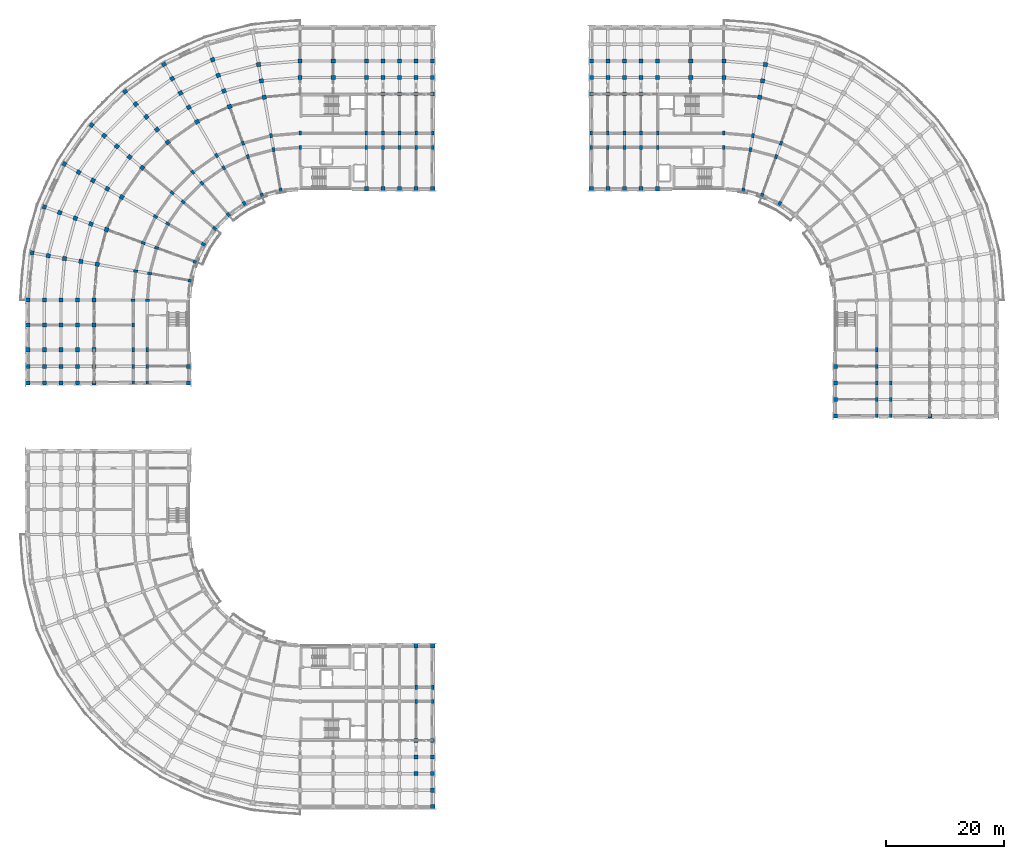
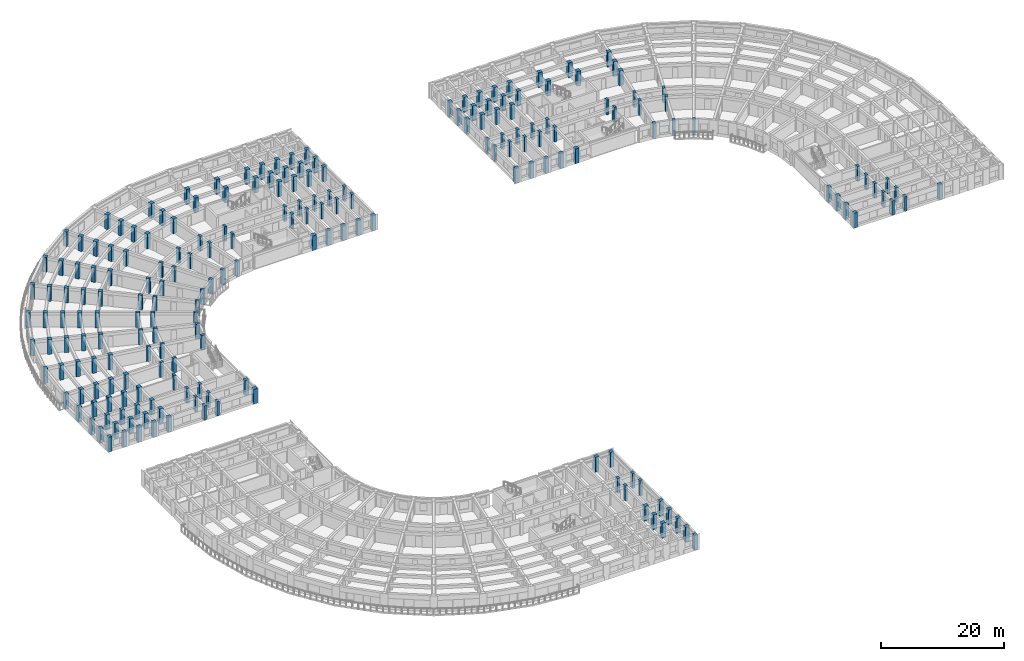
# One storey, part 2 of 57: 204 columns.
"""IFC4 building model written with IfcOpenShell, lengths in metres."""

from ifc_helpers import new_model, si_unit, direction, frame, origin, origin_2d, place, context, subcontext, project, spatial, rectangle, extrude, material, material_profile, profile_set, type_object, element, save


model = new_model("IFC4")

# Units and contexts
model_context = context("Model", 3, precision=1e-05, world=origin(), true_north=direction((0.0, 1.0)))
body_context = subcontext(model_context, "Body", "Model", "MODEL_VIEW")
ifc_project = project(units=[si_unit("LENGTHUNIT", "METRE"), si_unit("AREAUNIT", "SQUARE_METRE"), si_unit("VOLUMEUNIT", "CUBIC_METRE"), si_unit("PLANEANGLEUNIT", "RADIAN"), si_unit("MASSUNIT", "GRAM", prefix="KILO")], contexts=[model_context])

# Site, building, storey
site_placement = place(None, origin())
site = spatial("IfcSite", under=ifc_project, at=site_placement, CompositionType="ELEMENT")
building_placement = place(site_placement, origin())
building = spatial("IfcBuilding", under=site, at=building_placement, Name="Kiranvali Square Residences", CompositionType="ELEMENT")
storey_placement = place(building_placement, frame((0.0, 0.0, 18.14990234375)))
storey = spatial("IfcBuildingStorey", under=building, at=storey_placement, Name="L05", CompositionType="ELEMENT", Elevation=18.14990234375)

# Columns
ifc_material_1 = material(Name="Concrete M45 (45 MPa)", Category="concrete")
ifc_material_profile_1 = material_profile(ifc_material_1, rectangle(XDim=0.699951171875, YDim=0.699951171875, at=origin_2d()), Name="RC 700x700")
ifc_profile_set_1 = profile_set([ifc_material_profile_1], Name="Concrete M45 (45 MPa)")
column_type_1 = type_object("IfcColumnType", Name="COL-M45-700", PredefinedType="COLUMN", material=ifc_profile_set_1)
for number, where, z_axis, x_axis, name in (
    (1, (48.199951171875, 125.39990234375, 0.0), (0.0, 0.0, 1.0), (1.0, 0.0, 0.0), "Block A L05 radial column A00-R4"),
    (2, (48.199951171875, 128.199951171875, 0.0), (0.0, 0.0, 1.0), (1.0, 0.0, 0.0), "Block A L05 radial column A00-R5"),
    (3, (42.156982421875, 122.0712890625, 0.0), (0.0, 0.0, 1.0), (0.984807753012, 0.173648177667, 0.0), "Block A L05 radial column A01-R3"),
    (4, (41.6708984375, 124.828857421875, 0.0), (0.0, 0.0, 1.0), (0.984807753012, 0.173648177667, 0.0), "Block A L05 radial column A01-R4"),
    (5, (41.1845703125, 127.586181640625, 0.0), (0.0, 0.0, 1.0), (0.984807753012, 0.173648177667, 0.0), "Block A L05 radial column A01-R5"),
    (6, (36.297607421875, 120.501220703125, 0.0), (0.0, 0.0, 1.0), (0.939692620786, 0.342020143326, 0.0), "Block A L05 radial column A02-R3"),
    (7, (35.340087890625, 123.13232421875, 0.0), (0.0, 0.0, 1.0), (0.939692620786, 0.342020143326, 0.0), "Block A L05 radial column A02-R4"),
    (8, (34.38232421875, 125.763671875, 0.0), (0.0, 0.0, 1.0), (0.939692620786, 0.342020143326, 0.0), "Block A L05 radial column A02-R5"),
    (9, (33.4248046875, 128.394775390625, 0.0), (0.0, 0.0, 1.0), (0.939692620786, 0.342020143326, 0.0), "Block A L05 radial column A02-R6"),
    (10, (30.800048828125, 117.937744140625, 0.0), (0.0, 0.0, 1.0), (0.866025403784, 0.5, 0.0), "Block A L05 radial column A03-R3"),
    (11, (29.39990234375, 120.362548828125, 0.0), (0.0, 0.0, 1.0), (0.866025403784, 0.5, 0.0), "Block A L05 radial column A03-R4"),
    (12, (28.0, 122.787353515625, 0.0), (0.0, 0.0, 1.0), (0.866025403784, 0.5, 0.0), "Block A L05 radial column A03-R5"),
    (13, (26.60009765625, 125.21240234375, 0.0), (0.0, 0.0, 1.0), (0.866025403784, 0.5, 0.0), "Block A L05 radial column A03-R6"),
    (14, (25.199951171875, 127.63720703125, 0.0), (0.0, 0.0, 1.0), (0.866025403784, 0.5, 0.0), "Block A L05 radial column A03-R7"),
    (15, (25.8310546875, 114.458251953125, 0.0), (0.0, 0.0, 1.0), (0.766044443119, 0.642787609687, 0.0), "Block A L05 radial column A04-R3"),
    (16, (24.03125, 116.603271484375, 0.0), (0.0, 0.0, 1.0), (0.766044443119, 0.642787609687, 0.0), "Block A L05 radial column A04-R4"),
    (17, (22.2314453125, 118.748291015625, 0.0), (0.0, 0.0, 1.0), (0.766044443119, 0.642787609687, 0.0), "Block A L05 radial column A04-R5"),
    (18, (20.431640625, 120.89306640625, 0.0), (0.0, 0.0, 1.0), (0.766044443119, 0.642787609687, 0.0), "Block A L05 radial column A04-R6"),
    (19, (18.6318359375, 123.0380859375, 0.0), (0.0, 0.0, 1.0), (0.766044443119, 0.642787609687, 0.0), "Block A L05 radial column A04-R7"),
    (20, (21.541748046875, 110.1689453125, 0.0), (0.0, 0.0, 1.0), (0.642787609687, 0.766044443119, 0.0), "Block A L05 radial column A05-R3"),
    (21, (19.396728515625, 111.96875, 0.0), (0.0, 0.0, 1.0), (0.642787609687, 0.766044443119, 0.0), "Block A L05 radial column A05-R4"),
    (22, (17.251708984375, 113.7685546875, 0.0), (0.0, 0.0, 1.0), (0.642787609687, 0.766044443119, 0.0), "Block A L05 radial column A05-R5"),
    (23, (15.10693359375, 115.568359375, 0.0), (0.0, 0.0, 1.0), (0.642787609687, 0.766044443119, 0.0), "Block A L05 radial column A05-R6"),
    (24, (12.9619140625, 117.3681640625, 0.0), (0.0, 0.0, 1.0), (0.642787609687, 0.766044443119, 0.0), "Block A L05 radial column A05-R7"),
    (25, (18.062255859375, 105.199951171875, 0.0), (0.0, 0.0, 1.0), (0.5, 0.866025403784, 0.0), "Block A L05 radial column A06-R3"),
    (26, (15.637451171875, 106.60009765625, 0.0), (0.0, 0.0, 1.0), (0.5, 0.866025403784, 0.0), "Block A L05 radial column A06-R4"),
    (27, (13.212646484375, 108.0, 0.0), (0.0, 0.0, 1.0), (0.5, 0.866025403784, 0.0), "Block A L05 radial column A06-R5"),
    (28, (10.78759765625, 109.39990234375, 0.0), (0.0, 0.0, 1.0), (0.5, 0.866025403784, 0.0), "Block A L05 radial column A06-R6"),
    (29, (8.36279296875, 110.800048828125, 0.0), (0.0, 0.0, 1.0), (0.5, 0.866025403784, 0.0), "Block A L05 radial column A06-R7"),
    (30, (15.498779296875, 99.702392578125, 0.0), (0.0, 0.0, 1.0), (0.342020143326, 0.939692620786, 0.0), "Block A L05 radial column A07-R3"),
    (31, (12.86767578125, 100.659912109375, 0.0), (0.0, 0.0, 1.0), (0.342020143326, 0.939692620786, 0.0), "Block A L05 radial column A07-R4"),
    (32, (10.236328125, 101.61767578125, 0.0), (0.0, 0.0, 1.0), (0.342020143326, 0.939692620786, 0.0), "Block A L05 radial column A07-R5"),
    (33, (7.605224609375, 102.5751953125, 0.0), (0.0, 0.0, 1.0), (0.342020143326, 0.939692620786, 0.0), "Block A L05 radial column A07-R6"),
    (34, (4.97412109375, 103.532958984375, 0.0), (0.0, 0.0, 1.0), (0.342020143326, 0.939692620786, 0.0), "Block A L05 radial column A07-R7"),
    (35, (13.9287109375, 93.843017578125, 0.0), (0.0, 0.0, 1.0), (0.173648177667, 0.984807753012, 0.0), "Block A L05 radial column A08-R3"),
    (36, (11.171142578125, 94.3291015625, 0.0), (0.0, 0.0, 1.0), (0.173648177667, 0.984807753012, 0.0), "Block A L05 radial column A08-R4"),
    (37, (8.413818359375, 94.8154296875, 0.0), (0.0, 0.0, 1.0), (0.173648177667, 0.984807753012, 0.0), "Block A L05 radial column A08-R5"),
    (38, (5.65625, 95.301513671875, 0.0), (0.0, 0.0, 1.0), (0.173648177667, 0.984807753012, 0.0), "Block A L05 radial column A08-R6"),
    (39, (2.89892578125, 95.787841796875, 0.0), (0.0, 0.0, 1.0), (0.173648177667, 0.984807753012, 0.0), "Block A L05 radial column A08-R7"),
    (40, (13.39990234375, 87.800048828125, 0.0), (0.0, 0.0, 1.0), (0.0, 1.0, 0.0), "Block A L05 radial column A09-R3"),
    (41, (10.60009765625, 87.800048828125, 0.0), (0.0, 0.0, 1.0), (0.0, 1.0, 0.0), "Block A L05 radial column A09-R4"),
    (42, (7.800048828125, 87.800048828125, 0.0), (0.0, 0.0, 1.0), (0.0, 1.0, 0.0), "Block A L05 radial column A09-R5"),
    (43, (5.0, 87.800048828125, 0.0), (0.0, 0.0, 1.0), (0.0, 1.0, 0.0), "Block A L05 radial column A09-R6"),
    (44, (2.199951171875, 87.800048828125, 0.0), (0.0, 0.0, 1.0), (0.0, 1.0, 0.0), "Block A L05 radial column A09-R7"),
    (45, (53.800048828125, 125.39990234375, 0.0), (0.0, 0.0, 1.0), (1.0, 0.0, 0.0), "Block A L05 core-front column U0-R4"),
    (46, (53.800048828125, 128.199951171875, 0.0), (0.0, 0.0, 1.0), (1.0, 0.0, 0.0), "Block A L05 core-front column U0-R5"),
    (47, (59.39990234375, 106.60009765625, 0.0), (0.0, 0.0, 1.0), (1.0, 0.0, 0.0), "Block A L05 Arm 1 column U1-R0"),
    (48, (59.39990234375, 125.39990234375, 0.0), (0.0, 0.0, 1.0), (1.0, 0.0, 0.0), "Block A L05 Arm 1 column U1-R4"),
    (49, (59.39990234375, 128.199951171875, 0.0), (0.0, 0.0, 1.0), (1.0, 0.0, 0.0), "Block A L05 Arm 1 column U1-R5"),
    (50, (62.199951171875, 106.60009765625, 0.0), (0.0, 0.0, 1.0), (1.0, 0.0, 0.0), "Block A L05 Arm 1 column U2-R0"),
    (51, (62.199951171875, 122.60009765625, 0.0), (0.0, 0.0, 1.0), (1.0, 0.0, 0.0), "Block A L05 Arm 1 column U2-R3"),
    (52, (62.199951171875, 125.39990234375, 0.0), (0.0, 0.0, 1.0), (1.0, 0.0, 0.0), "Block A L05 Arm 1 column U2-R4"),
    (53, (62.199951171875, 128.199951171875, 0.0), (0.0, 0.0, 1.0), (1.0, 0.0, 0.0), "Block A L05 Arm 1 column U2-R5"),
    (54, (65.0, 106.60009765625, 0.0), (0.0, 0.0, 1.0), (1.0, 0.0, 0.0), "Block A L05 Arm 1 column U3-R0"),
    (55, (65.0, 122.60009765625, 0.0), (0.0, 0.0, 1.0), (1.0, 0.0, 0.0), "Block A L05 Arm 1 column U3-R3"),
    (56, (65.0, 125.39990234375, 0.0), (0.0, 0.0, 1.0), (1.0, 0.0, 0.0), "Block A L05 Arm 1 column U3-R4"),
    (57, (65.0, 128.199951171875, 0.0), (0.0, 0.0, 1.0), (1.0, 0.0, 0.0), "Block A L05 Arm 1 column U3-R5"),
    (58, (67.800048828125, 106.60009765625, 0.0), (0.0, 0.0, 1.0), (1.0, 0.0, 0.0), "Block A L05 Arm 1 column U4-R0"),
    (59, (67.800048828125, 122.60009765625, 0.0), (0.0, 0.0, 1.0), (1.0, 0.0, 0.0), "Block A L05 Arm 1 column U4-R3"),
    (60, (67.800048828125, 125.39990234375, 0.0), (0.0, 0.0, 1.0), (1.0, 0.0, 0.0), "Block A L05 Arm 1 column U4-R4"),
    (61, (67.800048828125, 128.199951171875, 0.0), (0.0, 0.0, 1.0), (1.0, 0.0, 0.0), "Block A L05 Arm 1 column U4-R5"),
    (62, (70.60009765625, 106.60009765625, 0.0), (0.0, 0.0, 1.0), (1.0, 0.0, 0.0), "Block A L05 Arm 1 column U5-R0"),
    (63, (70.60009765625, 122.60009765625, 0.0), (0.0, 0.0, 1.0), (1.0, 0.0, 0.0), "Block A L05 Arm 1 column U5-R3"),
    (64, (70.60009765625, 125.39990234375, 0.0), (0.0, 0.0, 1.0), (1.0, 0.0, 0.0), "Block A L05 Arm 1 column U5-R4"),
    (65, (70.60009765625, 128.199951171875, 0.0), (0.0, 0.0, 1.0), (1.0, 0.0, 0.0), "Block A L05 Arm 1 column U5-R5"),
    (66, (13.39990234375, 83.60009765625, 0.0), (0.0, 0.0, 1.0), (1.0, 0.0, 0.0), "Block A L05 Arm 2 mid-core column V0-R3"),
    (67, (10.60009765625, 83.60009765625, 0.0), (0.0, 0.0, 1.0), (1.0, 0.0, 0.0), "Block A L05 Arm 2 mid-core column V0-R4"),
    (68, (7.800048828125, 83.60009765625, 0.0), (0.0, 0.0, 1.0), (1.0, 0.0, 0.0), "Block A L05 Arm 2 mid-core column V0-R5"),
    (69, (5.0, 83.60009765625, 0.0), (0.0, 0.0, 1.0), (1.0, 0.0, 0.0), "Block A L05 Arm 2 mid-core column V0-R6"),
    (70, (2.199951171875, 83.60009765625, 0.0), (0.0, 0.0, 1.0), (1.0, 0.0, 0.0), "Block A L05 Arm 2 mid-core column V0-R7"),
    (71, (13.39990234375, 79.39990234375, 0.0), (0.0, 0.0, 1.0), (1.0, 0.0, 0.0), "Block A L05 Arm 2 column V1-R3"),
    (72, (10.60009765625, 79.39990234375, 0.0), (0.0, 0.0, 1.0), (1.0, 0.0, 0.0), "Block A L05 Arm 2 column V1-R4"),
    (73, (7.800048828125, 79.39990234375, 0.0), (0.0, 0.0, 1.0), (1.0, 0.0, 0.0), "Block A L05 Arm 2 column V1-R5"),
    (74, (5.0, 79.39990234375, 0.0), (0.0, 0.0, 1.0), (1.0, 0.0, 0.0), "Block A L05 Arm 2 column V1-R6"),
    (75, (2.199951171875, 79.39990234375, 0.0), (0.0, 0.0, 1.0), (1.0, 0.0, 0.0), "Block A L05 Arm 2 column V1-R7"),
    (76, (29.39990234375, 76.60009765625, 0.0), (0.0, 0.0, 1.0), (1.0, 0.0, 0.0), "Block A L05 Arm 2 column V2-R0"),
    (77, (13.39990234375, 76.60009765625, 0.0), (0.0, 0.0, 1.0), (1.0, 0.0, 0.0), "Block A L05 Arm 2 column V2-R3"),
    (78, (10.60009765625, 76.60009765625, 0.0), (0.0, 0.0, 1.0), (1.0, 0.0, 0.0), "Block A L05 Arm 2 column V2-R4"),
    (79, (7.800048828125, 76.60009765625, 0.0), (0.0, 0.0, 1.0), (1.0, 0.0, 0.0), "Block A L05 Arm 2 column V2-R5"),
    (80, (5.0, 76.60009765625, 0.0), (0.0, 0.0, 1.0), (1.0, 0.0, 0.0), "Block A L05 Arm 2 column V2-R6"),
    (81, (2.199951171875, 76.60009765625, 0.0), (0.0, 0.0, 1.0), (1.0, 0.0, 0.0), "Block A L05 Arm 2 column V2-R7"),
    (82, (29.39990234375, 73.800048828125, 0.0), (0.0, 0.0, 1.0), (1.0, 0.0, 0.0), "Block A L05 Arm 2 column V3-R0"),
    (83, (13.39990234375, 73.800048828125, 0.0), (0.0, 0.0, 1.0), (1.0, 0.0, 0.0), "Block A L05 Arm 2 column V3-R3"),
    (84, (10.60009765625, 73.800048828125, 0.0), (0.0, 0.0, 1.0), (1.0, 0.0, 0.0), "Block A L05 Arm 2 column V3-R4"),
    (85, (7.800048828125, 73.800048828125, 0.0), (0.0, 0.0, 1.0), (1.0, 0.0, 0.0), "Block A L05 Arm 2 column V3-R5"),
    (86, (5.0, 73.800048828125, 0.0), (0.0, 0.0, 1.0), (1.0, 0.0, 0.0), "Block A L05 Arm 2 column V3-R6"),
    (87, (2.199951171875, 73.800048828125, 0.0), (0.0, 0.0, 1.0), (1.0, 0.0, 0.0), "Block A L05 Arm 2 column V3-R7"),
    (88, (119.800048828125, 125.39990234375, 0.0), (0.0, 0.0, 1.0), (1.0, 0.0, 0.0), "Block B L05 radial column A00-R4"),
    (89, (119.800048828125, 128.199951171875, 0.0), (0.0, 0.0, 1.0), (1.0, 0.0, 0.0), "Block B L05 radial column A00-R5"),
    (90, (125.843017578125, 122.0712890625, 0.0), (0.0, 0.0, 1.0), (-0.984807753012, 0.173648177667, 0.0), "Block B L05 radial column A01-R3"),
    (91, (126.3291015625, 124.828857421875, 0.0), (0.0, 0.0, 1.0), (-0.984807753012, 0.173648177667, 0.0), "Block B L05 radial column A01-R4"),
    (92, (126.8154296875, 127.586181640625, 0.0), (0.0, 0.0, 1.0), (-0.984807753012, 0.173648177667, 0.0), "Block B L05 radial column A01-R5"),
    (93, (114.199951171875, 125.39990234375, 0.0), (0.0, 0.0, 1.0), (1.0, 0.0, 0.0), "Block B L05 core-front column U0-R4"),
    (94, (114.199951171875, 128.199951171875, 0.0), (0.0, 0.0, 1.0), (1.0, 0.0, 0.0), "Block B L05 core-front column U0-R5"),
    (95, (108.60009765625, 106.60009765625, 0.0), (0.0, 0.0, 1.0), (1.0, 0.0, 0.0), "Block B L05 Arm 1 column U1-R0"),
    (96, (108.60009765625, 125.39990234375, 0.0), (0.0, 0.0, 1.0), (1.0, 0.0, 0.0), "Block B L05 Arm 1 column U1-R4"),
    (97, (108.60009765625, 128.199951171875, 0.0), (0.0, 0.0, 1.0), (1.0, 0.0, 0.0), "Block B L05 Arm 1 column U1-R5"),
    (98, (105.800048828125, 106.60009765625, 0.0), (0.0, 0.0, 1.0), (1.0, 0.0, 0.0), "Block B L05 Arm 1 column U2-R0"),
    (99, (105.800048828125, 122.60009765625, 0.0), (0.0, 0.0, 1.0), (1.0, 0.0, 0.0), "Block B L05 Arm 1 column U2-R3"),
    (100, (105.800048828125, 125.39990234375, 0.0), (0.0, 0.0, 1.0), (1.0, 0.0, 0.0), "Block B L05 Arm 1 column U2-R4"),
    (101, (105.800048828125, 128.199951171875, 0.0), (0.0, 0.0, 1.0), (1.0, 0.0, 0.0), "Block B L05 Arm 1 column U2-R5"),
    (102, (103.0, 106.60009765625, 0.0), (0.0, 0.0, 1.0), (1.0, 0.0, 0.0), "Block B L05 Arm 1 column U3-R0"),
    (103, (103.0, 122.60009765625, 0.0), (0.0, 0.0, 1.0), (1.0, 0.0, 0.0), "Block B L05 Arm 1 column U3-R3"),
    (104, (103.0, 125.39990234375, 0.0), (0.0, 0.0, 1.0), (1.0, 0.0, 0.0), "Block B L05 Arm 1 column U3-R4"),
    (105, (103.0, 128.199951171875, 0.0), (0.0, 0.0, 1.0), (1.0, 0.0, 0.0), "Block B L05 Arm 1 column U3-R5"),
    (106, (100.199951171875, 106.60009765625, 0.0), (0.0, 0.0, 1.0), (1.0, 0.0, 0.0), "Block B L05 Arm 1 column U4-R0"),
    (107, (100.199951171875, 122.60009765625, 0.0), (0.0, 0.0, 1.0), (1.0, 0.0, 0.0), "Block B L05 Arm 1 column U4-R3"),
    (108, (100.199951171875, 125.39990234375, 0.0), (0.0, 0.0, 1.0), (1.0, 0.0, 0.0), "Block B L05 Arm 1 column U4-R4"),
    (109, (100.199951171875, 128.199951171875, 0.0), (0.0, 0.0, 1.0), (1.0, 0.0, 0.0), "Block B L05 Arm 1 column U4-R5"),
    (110, (97.39990234375, 106.60009765625, 0.0), (0.0, 0.0, 1.0), (1.0, 0.0, 0.0), "Block B L05 Arm 1 column U5-R0"),
    (111, (97.39990234375, 122.60009765625, 0.0), (0.0, 0.0, 1.0), (1.0, 0.0, 0.0), "Block B L05 Arm 1 column U5-R3"),
    (112, (97.39990234375, 125.39990234375, 0.0), (0.0, 0.0, 1.0), (1.0, 0.0, 0.0), "Block B L05 Arm 1 column U5-R4"),
    (113, (97.39990234375, 128.199951171875, 0.0), (0.0, 0.0, 1.0), (1.0, 0.0, 0.0), "Block B L05 Arm 1 column U5-R5"),
    (114, (138.60009765625, 76.60009765625, 0.0), (0.0, 0.0, 1.0), (1.0, 0.0, 0.0), "Block B L05 Arm 2 column V2-R0"),
    (115, (138.60009765625, 73.800048828125, 0.0), (0.0, 0.0, 1.0), (1.0, 0.0, 0.0), "Block B L05 Arm 2 column V3-R0"),
    (116, (138.60009765625, 71.0, 0.0), (0.0, 0.0, 1.0), (1.0, 0.0, 0.0), "Block B L05 Arm 2 column V4-R0"),
    (117, (138.60009765625, 68.199951171875, 0.0), (0.0, 0.0, 1.0), (1.0, 0.0, 0.0), "Block B L05 Arm 2 column V5-R0"),
    (118, (154.60009765625, 68.199951171875, 0.0), (0.0, 0.0, 1.0), (1.0, 0.0, 0.0), "Block B L05 Arm 2 column V5-R3"),
    (119, (67.800048828125, 29.39990234375, 0.0), (0.0, 0.0, 1.0), (1.0, 0.0, 0.0), "Block C L05 Arm 1 column U4-R0"),
    (120, (67.800048828125, 13.39990234375, 0.0), (0.0, 0.0, 1.0), (1.0, 0.0, 0.0), "Block C L05 Arm 1 column U4-R3"),
    (121, (67.800048828125, 10.60009765625, 0.0), (0.0, 0.0, 1.0), (1.0, 0.0, 0.0), "Block C L05 Arm 1 column U4-R4"),
    (122, (67.800048828125, 7.800048828125, 0.0), (0.0, 0.0, 1.0), (1.0, 0.0, 0.0), "Block C L05 Arm 1 column U4-R5"),
    (123, (70.60009765625, 29.39990234375, 0.0), (0.0, 0.0, 1.0), (1.0, 0.0, 0.0), "Block C L05 Arm 1 column U5-R0"),
    (124, (70.60009765625, 13.39990234375, 0.0), (0.0, 0.0, 1.0), (1.0, 0.0, 0.0), "Block C L05 Arm 1 column U5-R3"),
    (125, (70.60009765625, 10.60009765625, 0.0), (0.0, 0.0, 1.0), (1.0, 0.0, 0.0), "Block C L05 Arm 1 column U5-R4"),
    (126, (70.60009765625, 7.800048828125, 0.0), (0.0, 0.0, 1.0), (1.0, 0.0, 0.0), "Block C L05 Arm 1 column U5-R5"),
    (127, (70.60009765625, 5.0, 0.0), (0.0, 0.0, 1.0), (1.0, 0.0, 0.0), "Block C L05 Arm 1 column U5-R6"),
):
    element("IfcColumn", number, at=place(storey_placement, frame(where, z_axis=z_axis, x_axis=x_axis)), inside=storey, type_object=column_type_1, Name=name, PredefinedType="COLUMN", context=body_context, shape_type="SweptSolid", body=[
        extrude(rectangle(XDim=0.699951171875, YDim=0.699951171875, at=origin_2d()), origin(), (0.0, 0.0, 1.0), 2.93017578125),
    ])
column_placement = place(storey_placement, frame((70.60009765625, 2.199951171875, 0.0), z_axis=(0.0, 0.0, 1.0), x_axis=(1.0, 0.0, 0.0)))
element("IfcColumn", 128, at=column_placement, inside=storey, type_object=column_type_1, Name="Block C L05 Arm 1 column U5-R7", PredefinedType="COLUMN", context=body_context, shape_type="SweptSolid", body=[
    extrude(rectangle(XDim=0.699951171875, YDim=0.699951171875, at=origin_2d()), origin(), (0.0, 0.0, 1.0), 2.97021484375),
])
ifc_material_profile_2 = material_profile(ifc_material_1, rectangle(XDim=0.449951171875, YDim=0.699951171875, at=origin_2d()), Name="RC 700x450")
ifc_profile_set_2 = profile_set([ifc_material_profile_2], Name="Concrete M45 (45 MPa)")
column_type_2 = type_object("IfcColumnType", Name="COL-M45-700x450", PredefinedType="COLUMN", material=ifc_profile_set_2)
for number, where, z_axis, x_axis, name in (
    (129, (48.199951171875, 113.60009765625, 0.0), (0.0, 0.0, 1.0), (1.0, 0.0, 0.0), "Block A L05 radial column A00-R1"),
    (130, (48.199951171875, 116.0, 0.0), (0.0, 0.0, 1.0), (1.0, 0.0, 0.0), "Block A L05 radial column A00-R2"),
    (131, (43.719970703125, 113.2080078125, 0.0), (0.0, 0.0, 1.0), (0.984807753012, 0.173648177667, 0.0), "Block A L05 radial column A01-R1"),
    (132, (43.30322265625, 115.571533203125, 0.0), (0.0, 0.0, 1.0), (0.984807753012, 0.173648177667, 0.0), "Block A L05 radial column A01-R2"),
    (133, (39.3759765625, 112.044189453125, 0.0), (0.0, 0.0, 1.0), (0.939692620786, 0.342020143326, 0.0), "Block A L05 radial column A02-R1"),
    (134, (38.554931640625, 114.29931640625, 0.0), (0.0, 0.0, 1.0), (0.939692620786, 0.342020143326, 0.0), "Block A L05 radial column A02-R2"),
    (135, (35.300048828125, 110.1435546875, 0.0), (0.0, 0.0, 1.0), (0.866025403784, 0.5, 0.0), "Block A L05 radial column A03-R1"),
    (136, (34.10009765625, 112.221923828125, 0.0), (0.0, 0.0, 1.0), (0.866025403784, 0.5, 0.0), "Block A L05 radial column A03-R2"),
    (137, (31.615966796875, 107.56396484375, 0.0), (0.0, 0.0, 1.0), (0.766044443119, 0.642787609687, 0.0), "Block A L05 radial column A04-R1"),
    (138, (30.073486328125, 109.40234375, 0.0), (0.0, 0.0, 1.0), (0.766044443119, 0.642787609687, 0.0), "Block A L05 radial column A04-R2"),
    (139, (28.43603515625, 104.384033203125, 0.0), (0.0, 0.0, 1.0), (0.642787609687, 0.766044443119, 0.0), "Block A L05 radial column A05-R1"),
    (140, (26.59765625, 105.926513671875, 0.0), (0.0, 0.0, 1.0), (0.642787609687, 0.766044443119, 0.0), "Block A L05 radial column A05-R2"),
    (141, (25.8564453125, 100.699951171875, 0.0), (0.0, 0.0, 1.0), (0.5, 0.866025403784, 0.0), "Block A L05 radial column A06-R1"),
    (142, (23.778076171875, 101.89990234375, 0.0), (0.0, 0.0, 1.0), (0.5, 0.866025403784, 0.0), "Block A L05 radial column A06-R2"),
    (143, (23.955810546875, 96.6240234375, 0.0), (0.0, 0.0, 1.0), (0.342020143326, 0.939692620786, 0.0), "Block A L05 radial column A07-R1"),
    (144, (21.70068359375, 97.445068359375, 0.0), (0.0, 0.0, 1.0), (0.342020143326, 0.939692620786, 0.0), "Block A L05 radial column A07-R2"),
    (145, (22.7919921875, 92.280029296875, 0.0), (0.0, 0.0, 1.0), (0.173648177667, 0.984807753012, 0.0), "Block A L05 radial column A08-R1"),
    (146, (20.428466796875, 92.69677734375, 0.0), (0.0, 0.0, 1.0), (0.173648177667, 0.984807753012, 0.0), "Block A L05 radial column A08-R2"),
    (147, (22.39990234375, 87.800048828125, 0.0), (0.0, 0.0, 1.0), (0.0, 1.0, 0.0), "Block A L05 radial column A09-R1"),
    (148, (20.0, 87.800048828125, 0.0), (0.0, 0.0, 1.0), (0.0, 1.0, 0.0), "Block A L05 radial column A09-R2"),
    (149, (59.39990234375, 113.60009765625, 0.0), (0.0, 0.0, 1.0), (1.0, 0.0, 0.0), "Block A L05 Arm 1 column U1-R1"),
    (150, (59.39990234375, 116.0, 0.0), (0.0, 0.0, 1.0), (1.0, 0.0, 0.0), "Block A L05 Arm 1 column U1-R2"),
    (151, (62.199951171875, 113.60009765625, 0.0), (0.0, 0.0, 1.0), (1.0, 0.0, 0.0), "Block A L05 Arm 1 column U2-R1"),
    (152, (62.199951171875, 116.0, 0.0), (0.0, 0.0, 1.0), (1.0, 0.0, 0.0), "Block A L05 Arm 1 column U2-R2"),
    (153, (65.0, 113.60009765625, 0.0), (0.0, 0.0, 1.0), (1.0, 0.0, 0.0), "Block A L05 Arm 1 column U3-R1"),
    (154, (65.0, 116.0, 0.0), (0.0, 0.0, 1.0), (1.0, 0.0, 0.0), "Block A L05 Arm 1 column U3-R2"),
    (155, (67.800048828125, 113.60009765625, 0.0), (0.0, 0.0, 1.0), (1.0, 0.0, 0.0), "Block A L05 Arm 1 column U4-R1"),
    (156, (67.800048828125, 116.0, 0.0), (0.0, 0.0, 1.0), (1.0, 0.0, 0.0), "Block A L05 Arm 1 column U4-R2"),
    (157, (70.60009765625, 113.60009765625, 0.0), (0.0, 0.0, 1.0), (1.0, 0.0, 0.0), "Block A L05 Arm 1 column U5-R1"),
    (158, (70.60009765625, 116.0, 0.0), (0.0, 0.0, 1.0), (1.0, 0.0, 0.0), "Block A L05 Arm 1 column U5-R2"),
    (159, (20.0, 83.60009765625, 0.0), (0.0, 0.0, 1.0), (1.0, 0.0, 0.0), "Block A L05 Arm 2 mid-core column V0-R2"),
    (160, (22.39990234375, 79.39990234375, 0.0), (0.0, 0.0, 1.0), (1.0, 0.0, 0.0), "Block A L05 Arm 2 column V1-R1"),
    (161, (20.0, 79.39990234375, 0.0), (0.0, 0.0, 1.0), (1.0, 0.0, 0.0), "Block A L05 Arm 2 column V1-R2"),
    (162, (22.39990234375, 76.60009765625, 0.0), (0.0, 0.0, 1.0), (1.0, 0.0, 0.0), "Block A L05 Arm 2 column V2-R1"),
    (163, (20.0, 76.60009765625, 0.0), (0.0, 0.0, 1.0), (1.0, 0.0, 0.0), "Block A L05 Arm 2 column V2-R2"),
    (164, (22.39990234375, 73.800048828125, 0.0), (0.0, 0.0, 1.0), (1.0, 0.0, 0.0), "Block A L05 Arm 2 column V3-R1"),
    (165, (20.0, 73.800048828125, 0.0), (0.0, 0.0, 1.0), (1.0, 0.0, 0.0), "Block A L05 Arm 2 column V3-R2"),
    (166, (119.800048828125, 113.60009765625, 0.0), (0.0, 0.0, 1.0), (1.0, 0.0, 0.0), "Block B L05 radial column A00-R1"),
    (167, (119.800048828125, 116.0, 0.0), (0.0, 0.0, 1.0), (1.0, 0.0, 0.0), "Block B L05 radial column A00-R2"),
    (168, (124.280029296875, 113.2080078125, 0.0), (0.0, 0.0, 1.0), (-0.984807753012, 0.173648177667, 0.0), "Block B L05 radial column A01-R1"),
    (169, (124.69677734375, 115.571533203125, 0.0), (0.0, 0.0, 1.0), (-0.984807753012, 0.173648177667, 0.0), "Block B L05 radial column A01-R2"),
    (170, (128.6240234375, 112.044189453125, 0.0), (0.0, 0.0, 1.0), (-0.939692620786, 0.342020143326, 0.0), "Block B L05 radial column A02-R1"),
    (171, (129.445068359375, 114.29931640625, 0.0), (0.0, 0.0, 1.0), (-0.939692620786, 0.342020143326, 0.0), "Block B L05 radial column A02-R2"),
    (172, (108.60009765625, 113.60009765625, 0.0), (0.0, 0.0, 1.0), (1.0, 0.0, 0.0), "Block B L05 Arm 1 column U1-R1"),
    (173, (108.60009765625, 116.0, 0.0), (0.0, 0.0, 1.0), (1.0, 0.0, 0.0), "Block B L05 Arm 1 column U1-R2"),
    (174, (105.800048828125, 113.60009765625, 0.0), (0.0, 0.0, 1.0), (1.0, 0.0, 0.0), "Block B L05 Arm 1 column U2-R1"),
    (175, (105.800048828125, 116.0, 0.0), (0.0, 0.0, 1.0), (1.0, 0.0, 0.0), "Block B L05 Arm 1 column U2-R2"),
    (176, (103.0, 113.60009765625, 0.0), (0.0, 0.0, 1.0), (1.0, 0.0, 0.0), "Block B L05 Arm 1 column U3-R1"),
    (177, (103.0, 116.0, 0.0), (0.0, 0.0, 1.0), (1.0, 0.0, 0.0), "Block B L05 Arm 1 column U3-R2"),
    (178, (100.199951171875, 113.60009765625, 0.0), (0.0, 0.0, 1.0), (1.0, 0.0, 0.0), "Block B L05 Arm 1 column U4-R1"),
    (179, (100.199951171875, 116.0, 0.0), (0.0, 0.0, 1.0), (1.0, 0.0, 0.0), "Block B L05 Arm 1 column U4-R2"),
    (180, (97.39990234375, 113.60009765625, 0.0), (0.0, 0.0, 1.0), (1.0, 0.0, 0.0), "Block B L05 Arm 1 column U5-R1"),
    (181, (97.39990234375, 116.0, 0.0), (0.0, 0.0, 1.0), (1.0, 0.0, 0.0), "Block B L05 Arm 1 column U5-R2"),
    (182, (145.60009765625, 79.39990234375, 0.0), (0.0, 0.0, 1.0), (1.0, 0.0, 0.0), "Block B L05 Arm 2 column V1-R1"),
    (183, (145.60009765625, 76.60009765625, 0.0), (0.0, 0.0, 1.0), (1.0, 0.0, 0.0), "Block B L05 Arm 2 column V2-R1"),
    (184, (145.60009765625, 73.800048828125, 0.0), (0.0, 0.0, 1.0), (1.0, 0.0, 0.0), "Block B L05 Arm 2 column V3-R1"),
    (185, (148.0, 73.800048828125, 0.0), (0.0, 0.0, 1.0), (1.0, 0.0, 0.0), "Block B L05 Arm 2 column V3-R2"),
    (186, (145.60009765625, 71.0, 0.0), (0.0, 0.0, 1.0), (1.0, 0.0, 0.0), "Block B L05 Arm 2 column V4-R1"),
    (187, (148.0, 71.0, 0.0), (0.0, 0.0, 1.0), (1.0, 0.0, 0.0), "Block B L05 Arm 2 column V4-R2"),
    (188, (145.60009765625, 68.199951171875, 0.0), (0.0, 0.0, 1.0), (1.0, 0.0, 0.0), "Block B L05 Arm 2 column V5-R1"),
    (189, (148.0, 68.199951171875, 0.0), (0.0, 0.0, 1.0), (1.0, 0.0, 0.0), "Block B L05 Arm 2 column V5-R2"),
    (190, (67.800048828125, 22.39990234375, 0.0), (0.0, 0.0, 1.0), (1.0, 0.0, 0.0), "Block C L05 Arm 1 column U4-R1"),
    (191, (67.800048828125, 20.0, 0.0), (0.0, 0.0, 1.0), (1.0, 0.0, 0.0), "Block C L05 Arm 1 column U4-R2"),
    (192, (70.60009765625, 22.39990234375, 0.0), (0.0, 0.0, 1.0), (1.0, 0.0, 0.0), "Block C L05 Arm 1 column U5-R1"),
    (193, (70.60009765625, 20.0, 0.0), (0.0, 0.0, 1.0), (1.0, 0.0, 0.0), "Block C L05 Arm 1 column U5-R2"),
):
    element("IfcColumn", number, at=place(storey_placement, frame(where, z_axis=z_axis, x_axis=x_axis)), inside=storey, type_object=column_type_2, Name=name, PredefinedType="COLUMN", context=body_context, shape_type="SweptSolid", body=[
        extrude(rectangle(XDim=0.449951171875, YDim=0.699951171875, at=origin_2d()), origin(), (0.0, 0.0, 1.0), 2.93017578125),
    ])
ifc_material_2 = material(Name="Concrete M50 (50 MPa)", Category="concrete")
ifc_material_profile_3 = material_profile(ifc_material_2, rectangle(XDim=0.5, YDim=0.800048828125, at=origin_2d()), Name="RC 800x500")
ifc_profile_set_3 = profile_set([ifc_material_profile_3], Name="Concrete M50 (50 MPa)")
column_type_3 = type_object("IfcColumnType", Name="COL-M50-800x500", PredefinedType="COLUMN", material=ifc_profile_set_3)
for number, where, z_axis, x_axis, name in (
    (194, (44.935302734375, 106.314453125, 0.0), (0.0, 0.0, 1.0), (0.984807753012, 0.173648177667, 0.0), "Block A L05 radial column A01-R0"),
    (195, (41.77001953125, 105.46630859375, 0.0), (0.0, 0.0, 1.0), (0.939692620786, 0.342020143326, 0.0), "Block A L05 radial column A02-R0"),
    (196, (38.800048828125, 104.081298828125, 0.0), (0.0, 0.0, 1.0), (0.866025403784, 0.5, 0.0), "Block A L05 radial column A03-R0"),
    (197, (36.115478515625, 102.20166015625, 0.0), (0.0, 0.0, 1.0), (0.766044443119, 0.642787609687, 0.0), "Block A L05 radial column A04-R0"),
    (198, (33.79833984375, 99.884521484375, 0.0), (0.0, 0.0, 1.0), (0.642787609687, 0.766044443119, 0.0), "Block A L05 radial column A05-R0"),
    (199, (31.918701171875, 97.199951171875, 0.0), (0.0, 0.0, 1.0), (0.5, 0.866025403784, 0.0), "Block A L05 radial column A06-R0"),
    (200, (30.53369140625, 94.22998046875, 0.0), (0.0, 0.0, 1.0), (0.342020143326, 0.939692620786, 0.0), "Block A L05 radial column A07-R0"),
    (201, (29.685546875, 91.064697265625, 0.0), (0.0, 0.0, 1.0), (0.173648177667, 0.984807753012, 0.0), "Block A L05 radial column A08-R0"),
    (202, (123.064697265625, 106.314453125, 0.0), (0.0, 0.0, 1.0), (-0.984807753012, 0.173648177667, 0.0), "Block B L05 radial column A01-R0"),
    (203, (126.22998046875, 105.46630859375, 0.0), (0.0, 0.0, 1.0), (-0.939692620786, 0.342020143326, 0.0), "Block B L05 radial column A02-R0"),
    (204, (129.199951171875, 104.081298828125, 0.0), (0.0, 0.0, 1.0), (-0.866025403784, 0.5, 0.0), "Block B L05 radial column A03-R0"),
):
    element("IfcColumn", number, at=place(storey_placement, frame(where, z_axis=z_axis, x_axis=x_axis)), inside=storey, type_object=column_type_3, Name=name, PredefinedType="COLUMN", context=body_context, shape_type="SweptSolid", body=[
        extrude(rectangle(XDim=0.5, YDim=0.800048828125, at=origin_2d()), origin(), (0.0, 0.0, 1.0), 2.93017578125),
    ])

save(model, "model.ifc")
